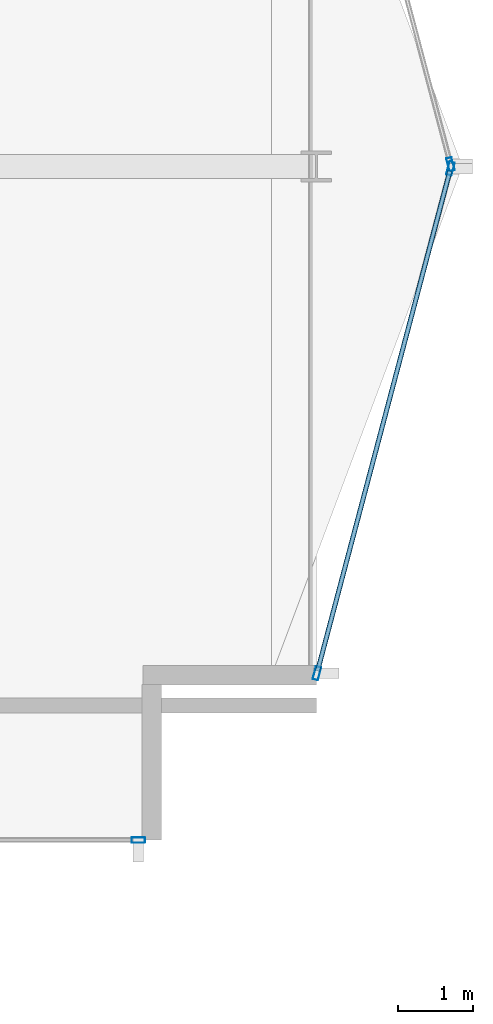
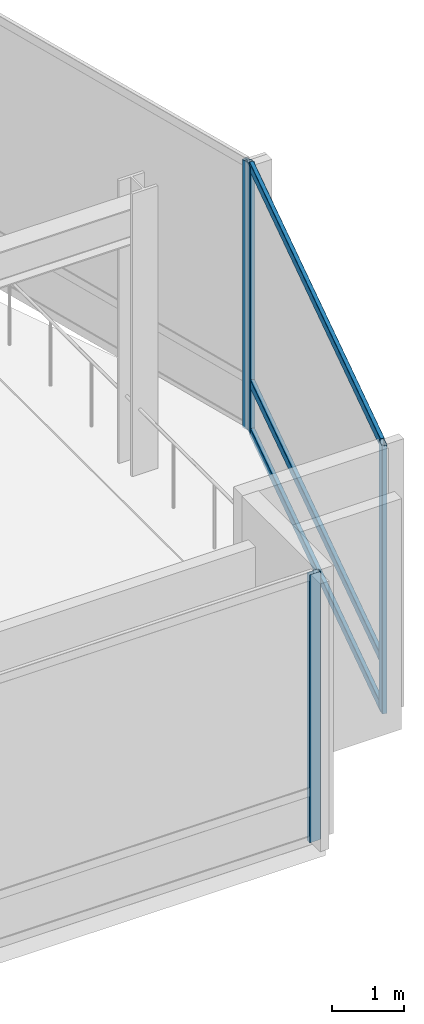
# One storey, part 11 of 30: 7 members, 3 elements without a shape of their own.
"""IFC4 building model written with IfcOpenShell, lengths in metres."""

from ifc_helpers import new_model, si_unit, direction, frame, origin, origin_2d, place, context, subcontext, project, spatial, hollow_rectangle, extrude, material, layer, layer_set, material_profile, profile_set, type_object, element, aggregate, save


model = new_model("IFC4")

# Units and contexts
model_context = context("Model", 3, precision=1e-05, world=origin(), true_north=direction((0.0, 1.0)))
body_context = subcontext(model_context, "Body", "Model", "MODEL_VIEW")
ifc_project = project(units=[si_unit("LENGTHUNIT", "METRE"), si_unit("AREAUNIT", "SQUARE_METRE"), si_unit("VOLUMEUNIT", "CUBIC_METRE"), si_unit("PLANEANGLEUNIT", "RADIAN"), si_unit("MASSUNIT", "GRAM", prefix="KILO")], contexts=[model_context])

# Site, building, storey
site_placement = place(None, origin())
site = spatial("IfcSite", under=ifc_project, at=site_placement, CompositionType="ELEMENT")
building_placement = place(site_placement, origin())
building = spatial("IfcBuilding", under=site, at=building_placement, Name="Solvaryn Broadcast Tower", CompositionType="ELEMENT")
storey_placement = place(building_placement, frame((0.0, 0.0, 196.39990234375)))
storey = spatial("IfcBuildingStorey", under=building, at=storey_placement, Name="L49", CompositionType="ELEMENT", Elevation=196.39990234375)

# Curtain wall, member
ifc_material_1 = material(Name="Aluminium and Terracotta Unitised Curtain Wall", Category="masonry")
ifc_layer = layer(ifc_material_1, 0.199951171875)
ifc_layer_set = layer_set([ifc_layer], Name="CW-SYS2-LOWMID")
curtain_wall_type = type_object("IfcCurtainWallType", Name="CW-SYS2-LOWMID", PredefinedType="NOTDEFINED", material=ifc_layer_set)
curtain_wall_1_placement = place(storey_placement, origin())
curtain_wall_1 = element("IfcCurtainWall", 1, at=curtain_wall_1_placement, inside=storey, type_object=curtain_wall_type, Name="L49 Curtain Wall S2", PredefinedType="NOTDEFINED")
ifc_material_2 = material(Name="Anodised Aluminium 6063-T6", Category="aluminium")
ifc_material_profile_1 = material_profile(ifc_material_2, hollow_rectangle(XDim=0.074951171875, YDim=0.179931640625, WallThickness=0.00390625, InnerFilletRadius=0.00390625, OuterFilletRadius=0.008056640625, at=origin_2d()))
ifc_profile_set_1 = profile_set([ifc_material_profile_1], Name="Anodised Aluminium 6063-T6")
member_type_1 = type_object("IfcMemberType", Name="CW-MUL-180", PredefinedType="MULLION", material=ifc_profile_set_1)
member_1_placement = place(storey_placement, frame((51.6201171875, 9.0, 0.0), z_axis=(0.0, 0.0, 1.0), x_axis=(0.0, 1.0, 0.0)))
member_1 = element("IfcMember", 2, at=member_1_placement, type_object=member_type_1, Name="CWS2 mullion 2", PredefinedType="MULLION", context=body_context, shape_type="SweptSolid", body=[
    extrude(hollow_rectangle(XDim=0.074951171875, YDim=0.179931640625, WallThickness=0.00390625, InnerFilletRadius=0.00390625, OuterFilletRadius=0.008056640625, at=origin_2d()), origin(), (0.0, 0.0, 1.0), 4.52001953125),
])
aggregate(curtain_wall_1, [member_1])

curtain_wall_2_placement = place(storey_placement, origin())
curtain_wall_2 = element("IfcCurtainWall", 3, at=curtain_wall_2_placement, inside=storey, type_object=curtain_wall_type, Name="L49 Curtain Wall ET1", PredefinedType="NOTDEFINED")
member_2_placement = place(storey_placement, frame((55.792236328125, 18.029052734375, 0.0), z_axis=(0.0, 0.0, 1.0), x_axis=(0.966705227863, 0.25589256031, 0.0)))
member_2 = element("IfcMember", 4, at=member_2_placement, type_object=member_type_1, Name="CWS2 mullion 2", PredefinedType="MULLION", context=body_context, shape_type="SweptSolid", body=[
    extrude(hollow_rectangle(XDim=0.074951171875, YDim=0.179931640625, WallThickness=0.00390625, InnerFilletRadius=0.00390625, OuterFilletRadius=0.008056640625, at=origin_2d()), origin(), (0.0, 0.0, 1.0), 4.52001953125),
])
aggregate(curtain_wall_2, [member_2])

# Curtain wall, members
curtain_wall_3_placement = place(storey_placement, origin())
curtain_wall_3 = element("IfcCurtainWall", 5, at=curtain_wall_3_placement, inside=storey, type_object=curtain_wall_type, Name="L49 Curtain Wall ET2", PredefinedType="NOTDEFINED")
member_3_placement = place(storey_placement, frame((55.792236328125, 17.970947265625, 0.0), z_axis=(0.0, 0.0, 1.0), x_axis=(0.966705227863, -0.25589256031, 0.0)))
member_3 = element("IfcMember", 6, at=member_3_placement, type_object=member_type_1, Name="CWS2 mullion 1", PredefinedType="MULLION", context=body_context, shape_type="SweptSolid", body=[
    extrude(hollow_rectangle(XDim=0.074951171875, YDim=0.179931640625, WallThickness=0.00390625, InnerFilletRadius=0.00390625, OuterFilletRadius=0.008056640625, at=origin_2d()), origin(), (0.0, 0.0, 1.0), 4.52001953125),
])
member_4_placement = place(storey_placement, frame((54.007568359375, 11.22900390625, 0.0), z_axis=(0.0, 0.0, 1.0), x_axis=(0.966705227863, -0.25589256031, 0.0)))
member_4 = element("IfcMember", 7, at=member_4_placement, type_object=member_type_1, Name="CWS2 mullion 2", PredefinedType="MULLION", context=body_context, shape_type="SweptSolid", body=[
    extrude(hollow_rectangle(XDim=0.074951171875, YDim=0.179931640625, WallThickness=0.00390625, InnerFilletRadius=0.00390625, OuterFilletRadius=0.008056640625, at=origin_2d()), origin(), (0.0, 0.0, 1.0), 4.52001953125),
])
ifc_material_3 = material(Name="Anodised Aluminium 6063-T6", Category="aluminium")
ifc_material_profile_2 = material_profile(ifc_material_3, hollow_rectangle(XDim=0.06494140625, YDim=0.14990234375, WallThickness=0.00390625, InnerFilletRadius=0.00390625, OuterFilletRadius=0.008056640625, at=origin_2d()))
ifc_profile_set_2 = profile_set([ifc_material_profile_2], Name="Anodised Aluminium 6063-T6")
member_type_2 = type_object("IfcMemberType", Name="CW-TRN-150", PredefinedType="USERDEFINED", material=ifc_profile_set_2)
member_5_placement = place(storey_placement, frame((55.78466796875, 17.94189453125, 0.030029296875), z_axis=(-0.255897413051, -0.966703943301, 0.0), x_axis=(0.966703943301, -0.255897413051, 0.0)))
member_5 = element("IfcMember", 8, at=member_5_placement, type_object=member_type_2, Name="CWS2 transom 1.1", ObjectType="TRANSOM", PredefinedType="USERDEFINED", context=body_context, shape_type="SweptSolid", body=[
    extrude(hollow_rectangle(XDim=0.06494140625, YDim=0.14990234375, WallThickness=0.00390625, InnerFilletRadius=0.00390625, OuterFilletRadius=0.008056640625, at=origin_2d()), origin(), (0.0, 0.0, 1.0), 6.9140625),
])
member_6_placement = place(storey_placement, frame((55.78466796875, 17.94189453125, 0.85009765625), z_axis=(-0.255897413051, -0.966703943301, 0.0), x_axis=(0.966703943301, -0.255897413051, 0.0)))
member_6 = element("IfcMember", 9, at=member_6_placement, type_object=member_type_2, Name="CWS2 transom 1.2", ObjectType="TRANSOM", PredefinedType="USERDEFINED", context=body_context, shape_type="SweptSolid", body=[
    extrude(hollow_rectangle(XDim=0.06494140625, YDim=0.14990234375, WallThickness=0.00390625, InnerFilletRadius=0.00390625, OuterFilletRadius=0.008056640625, at=origin_2d()), origin(), (0.0, 0.0, 1.0), 6.9140625),
])
member_7_placement = place(storey_placement, frame((55.78466796875, 17.94189453125, 4.489990234375), z_axis=(-0.255897413051, -0.966703943301, 0.0), x_axis=(0.966703943301, -0.255897413051, 0.0)))
member_7 = element("IfcMember", 10, at=member_7_placement, type_object=member_type_2, Name="CWS2 transom 1.3", ObjectType="TRANSOM", PredefinedType="USERDEFINED", context=body_context, shape_type="SweptSolid", body=[
    extrude(hollow_rectangle(XDim=0.06494140625, YDim=0.14990234375, WallThickness=0.00390625, InnerFilletRadius=0.00390625, OuterFilletRadius=0.008056640625, at=origin_2d()), origin(), (0.0, 0.0, 1.0), 6.9140625),
])
aggregate(curtain_wall_3, [member_3, member_4, member_5, member_6, member_7])

save(model, "model.ifc")
